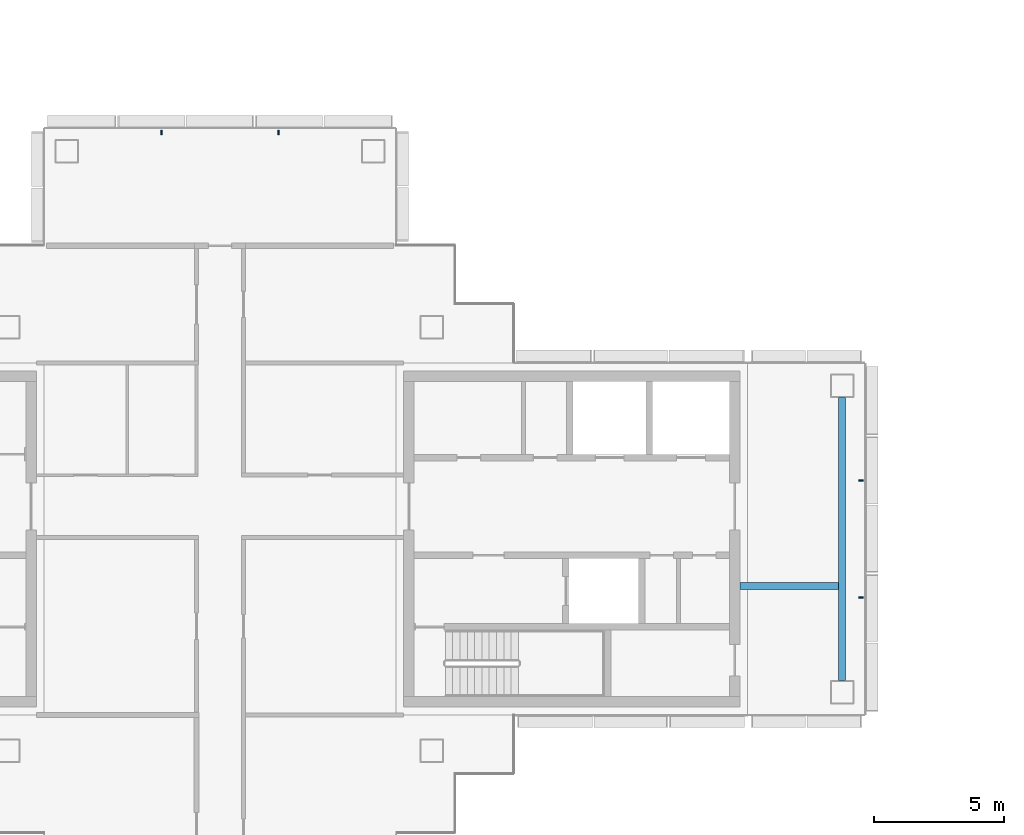
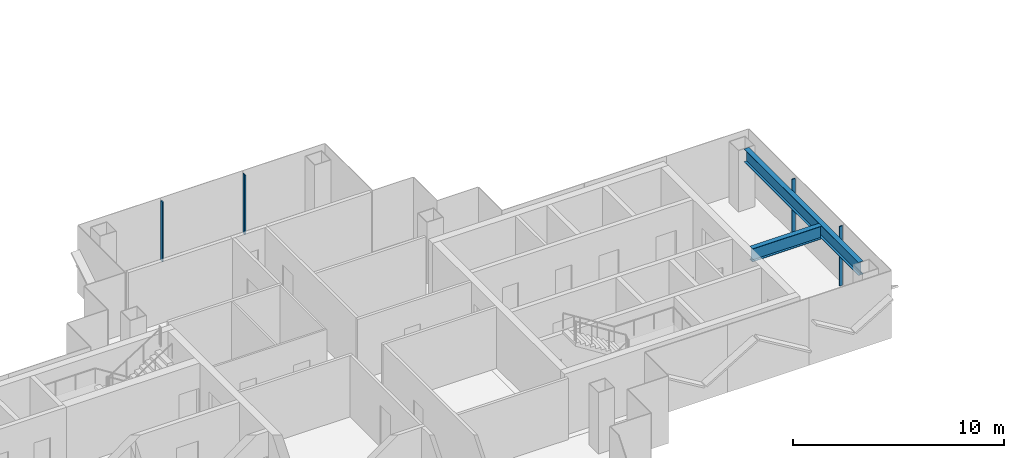
# One storey, part 4 of 17: 4 members, 2 beams, 2 elements without a shape of their own.
"""IFC4 building model written with IfcOpenShell, lengths in metres."""

from ifc_helpers import new_model, si_unit, direction, frame, origin, origin_2d, place, context, subcontext, project, spatial, rectangle, i_section, extrude, material, layer, layer_set, material_profile, profile_set, type_object, element, aggregate, save


model = new_model("IFC4")

# Units and contexts
model_context = context("Model", 3, precision=1e-05, world=origin(), true_north=direction((0.0, 1.0)))
body_context = subcontext(model_context, "Body", "Model", "MODEL_VIEW")
ifc_project = project(units=[si_unit("LENGTHUNIT", "METRE"), si_unit("AREAUNIT", "SQUARE_METRE"), si_unit("VOLUMEUNIT", "CUBIC_METRE"), si_unit("PLANEANGLEUNIT", "RADIAN"), si_unit("MASSUNIT", "GRAM", prefix="KILO")], contexts=[model_context])

# Site, building, storey
site_placement = place(None, origin())
site = spatial("IfcSite", under=ifc_project, at=site_placement, CompositionType="ELEMENT")
building_placement = place(site_placement, origin())
building = spatial("IfcBuilding", under=site, at=building_placement, Name="Shamsa Quay Exchange Towers", CompositionType="ELEMENT")
storey_placement = place(building_placement, frame((0.0, 0.0, 238.199951171875)))
storey = spatial("IfcBuildingStorey", under=building, at=storey_placement, Name="L57", CompositionType="ELEMENT", Elevation=238.199951171875)

# Curtain wall, members
ifc_material_1 = material(Name="Aluminium EN AW-6063 T6, black anodised", Category="aluminium")
ifc_layer = layer(ifc_material_1, 0.280029296875)
ifc_layer_set = layer_set([ifc_layer], Name="CW-1 UNITISED VISION GLASS")
curtain_wall_type = type_object("IfcCurtainWallType", Name="CW-1 UNITISED VISION GLASS", PredefinedType="NOTDEFINED", material=ifc_layer_set)
curtain_wall_1_placement = place(storey_placement, origin())
curtain_wall_1 = element("IfcCurtainWall", 1, at=curtain_wall_1_placement, inside=storey, type_object=curtain_wall_type, Name="CW1 T1-END-U+ L57", PredefinedType="NOTDEFINED")
ifc_material_profile_1 = material_profile(ifc_material_1, rectangle(XDim=0.179931640625, YDim=0.06005859375, at=origin_2d()), Name="MU60x180")
ifc_profile_set_1 = profile_set([ifc_material_profile_1], Name="Aluminium EN AW-6063 T6, black anodised")
member_type = type_object("IfcMemberType", Name="CW1 MULLION 60x180", PredefinedType="MULLION", material=ifc_profile_set_1)
member_1_placement = place(storey_placement, frame((-9.14990234375, -2.25, 0.0), z_axis=(0.0, 0.0, 1.0), x_axis=(-1.0, 0.0, 0.0)))
member_1 = element("IfcMember", 2, at=member_1_placement, type_object=member_type, Name="CW1 mullion", PredefinedType="MULLION", context=body_context, shape_type="SweptSolid", body=[
    extrude(rectangle(XDim=0.179931640625, YDim=0.06005859375, at=origin_2d()), origin(), (0.0, 0.0, 1.0), 3.449951171875),
])
member_2_placement = place(storey_placement, frame((-9.14990234375, 2.25, 0.0), z_axis=(0.0, 0.0, 1.0), x_axis=(-1.0, 0.0, 0.0)))
member_2 = element("IfcMember", 3, at=member_2_placement, type_object=member_type, Name="CW1 mullion", PredefinedType="MULLION", context=body_context, shape_type="SweptSolid", body=[
    extrude(rectangle(XDim=0.179931640625, YDim=0.06005859375, at=origin_2d()), origin(), (0.0, 0.0, 1.0), 3.449951171875),
])
aggregate(curtain_wall_1, [member_1, member_2])

curtain_wall_2_placement = place(storey_placement, origin())
curtain_wall_2 = element("IfcCurtainWall", 4, at=curtain_wall_2_placement, inside=storey, type_object=curtain_wall_type, Name="CW1 T1-END-V+ L57", PredefinedType="NOTDEFINED")
member_3_placement = place(storey_placement, frame((-31.5, 15.60009765625, 0.0), z_axis=(0.0, 0.0, 1.0), x_axis=(0.0, -1.0, 0.0)))
member_3 = element("IfcMember", 5, at=member_3_placement, type_object=member_type, Name="CW1 mullion", PredefinedType="MULLION", context=body_context, shape_type="SweptSolid", body=[
    extrude(rectangle(XDim=0.179931640625, YDim=0.06005859375, at=origin_2d()), origin(), (0.0, 0.0, 1.0), 3.449951171875),
])
member_4_placement = place(storey_placement, frame((-36.0, 15.60009765625, 0.0), z_axis=(0.0, 0.0, 1.0), x_axis=(0.0, -1.0, 0.0)))
member_4 = element("IfcMember", 6, at=member_4_placement, type_object=member_type, Name="CW1 mullion", PredefinedType="MULLION", context=body_context, shape_type="SweptSolid", body=[
    extrude(rectangle(XDim=0.179931640625, YDim=0.06005859375, at=origin_2d()), origin(), (0.0, 0.0, 1.0), 3.449951171875),
])
aggregate(curtain_wall_2, [member_3, member_4])

# Beams
ifc_material_2 = material(Name="Steel S355", Category="steel")
ifc_material_profile_2 = material_profile(ifc_material_2, i_section(OverallWidth=0.26611328125, OverallDepth=0.7578125, WebThickness=0.013916015625, FlangeThickness=0.019287109375, at=origin_2d()), Name="W30x108")
ifc_profile_set_2 = profile_set([ifc_material_profile_2], Name="Steel S355")
beam_type = type_object("IfcBeamType", Name="End-zone beam W30x108", PredefinedType="BEAM", material=ifc_profile_set_2)
beam_1_placement = place(storey_placement, frame((-9.875, -5.425048828125, 3.171142578125), z_axis=(0.0, 1.0, 0.0), x_axis=(-1.0, 0.0, 0.0)))
element("IfcBeam", 7, at=beam_1_placement, inside=storey, type_object=beam_type, Name="End beam T1 U+ end zone L57", PredefinedType="BEAM", context=body_context, shape_type="SweptSolid", body=[
    extrude(i_section(OverallWidth=0.26611328125, OverallDepth=0.7578125, WebThickness=0.013916015625, FlangeThickness=0.019287109375, at=origin_2d()), origin(), (0.0, 0.0, 1.0), 10.85009765625),
])
beam_2_placement = place(storey_placement, frame((-13.800048828125, -1.800048828125, 3.171142578125), z_axis=(1.0, 0.0, 0.0), x_axis=(0.0, 1.0, 0.0)))
element("IfcBeam", 8, at=beam_2_placement, inside=storey, type_object=beam_type, Name="Spine beam T1 U+ end zone L57", PredefinedType="BEAM", context=body_context, shape_type="SweptSolid", body=[
    extrude(i_section(OverallWidth=0.26611328125, OverallDepth=0.7578125, WebThickness=0.013916015625, FlangeThickness=0.019287109375, at=origin_2d()), origin(), (0.0, 0.0, 1.0), 3.7919921875),
])

save(model, "model.ifc")
